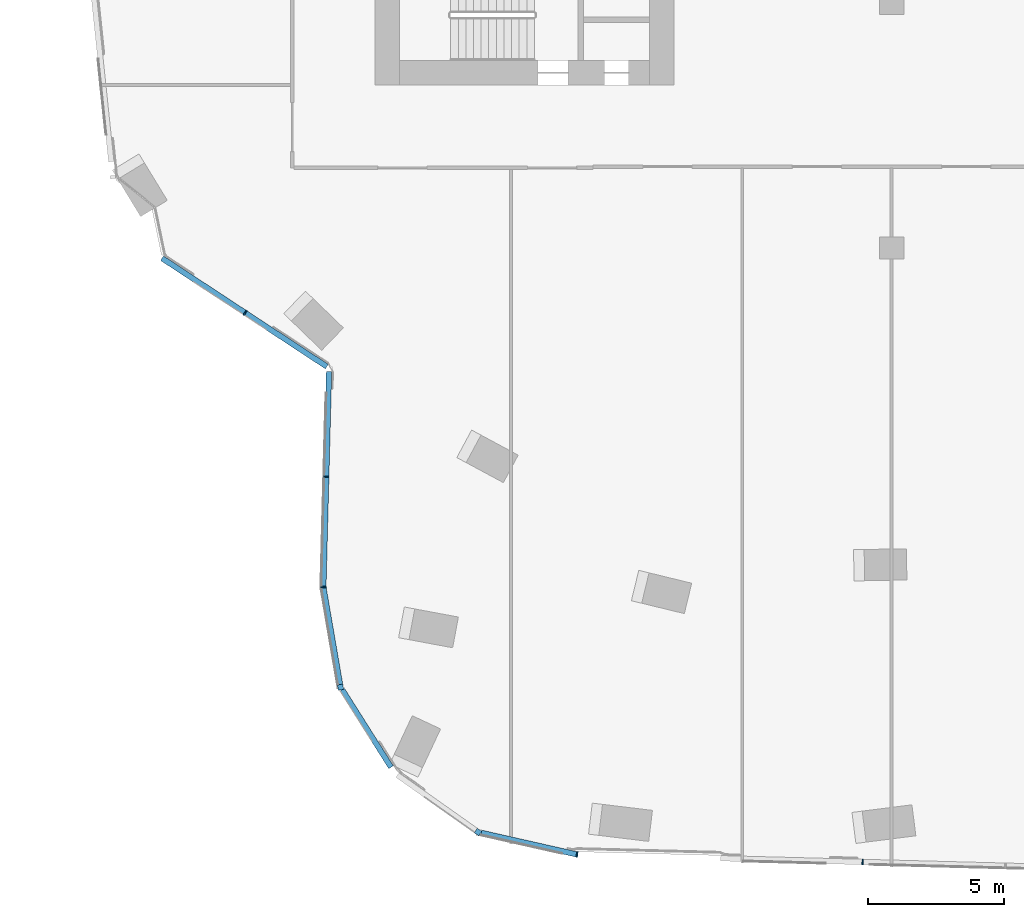
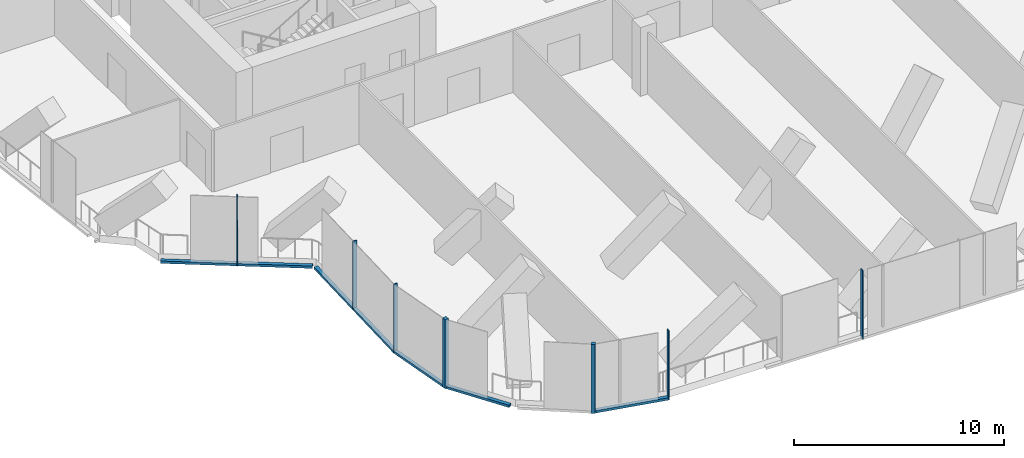
# One storey, part 2 of 26: 12 members, 7 elements without a shape of their own.
"""IFC4 building model written with IfcOpenShell, lengths in metres."""

import ifcopenshell
import ifcopenshell.guid

model = None  # the IFC model being written
_history = None  # IfcOwnerHistory: only IFC2X3 demands one
_inside = {}  # id of a spatial element -> (the spatial element, [elements in it])
_under = {}  # id of a project, library or spatial element -> (it, [spatial elements below it])
_declared = {}  # id of a project -> (the project, [libraries it declares])
_typed = {}  # id of a type object -> (the type object, [elements of that type])
_made_of = {}  # id of a material, layer set ... -> (it, [elements and type objects made of it])


def new_model(schema):
    """Start an empty IFC model of exactly this schema.

    Asked for "IFC4X3", IfcOpenShell would pick the latest addendum, in which some entities
    have other attributes; the version numbers below select the first issue.
    IFC2X3 requires an IfcOwnerHistory on every rooted entity: one is made here for all.
    """
    global model, _history
    if schema == "IFC4X3":
        model = ifcopenshell.file(schema_version=(4, 3, 0, 0))
    else:
        model = ifcopenshell.file(schema=schema)
    _inside.clear()
    _under.clear()
    _declared.clear()
    _typed.clear()
    _made_of.clear()
    _history = None
    if model.schema == "IFC2X3":
        org = make("IfcOrganization", Name="unknown")
        user = make(
            "IfcPersonAndOrganization",
            ThePerson=make("IfcPerson", FamilyName="unknown"),
            TheOrganization=org,
        )
        app = make(
            "IfcApplication",
            ApplicationDeveloper=org,
            Version="unknown",
            ApplicationFullName="unknown",
            ApplicationIdentifier="unknown",
        )
        _history = make(
            "IfcOwnerHistory",
            OwningUser=user,
            OwningApplication=app,
            ChangeAction="ADDED",
            CreationDate=0,
        )
    return model


def make(cls, **values):
    """One entity of the class cls with the attributes given. An attribute that is None is left unset."""
    return model.create_entity(
        cls, **{name: value for name, value in values.items() if value is not None}
    )


def rooted(cls, **values):
    """An entity with a GlobalId (a new one), such as an element, a storey or a relation."""
    return make(cls, GlobalId=ifcopenshell.guid.new(), OwnerHistory=_history, **values)


def si_unit(unit_type, name, prefix=None):
    """IfcSIUnit, for example si_unit("LENGTHUNIT", "METRE", prefix="MILLI")."""
    return make("IfcSIUnit", UnitType=unit_type, Prefix=prefix, Name=name)


def assignment(units):
    """IfcUnitAssignment: the units of a project."""
    return None if units is None else make("IfcUnitAssignment", Units=units)


def point(xyz):
    """IfcCartesianPoint."""
    return None if xyz is None else make("IfcCartesianPoint", Coordinates=xyz)


def direction(xyz):
    """IfcDirection."""
    return None if xyz is None else make("IfcDirection", DirectionRatios=xyz)


def frame(location, z_axis=None, x_axis=None):
    """IfcAxis2Placement3D, a coordinate frame: its origin and axes. An axis left out is left unset."""
    return make(
        "IfcAxis2Placement3D",
        Location=point(location),
        Axis=direction(z_axis),
        RefDirection=direction(x_axis),
    )


def frame_2d(location, x_axis=None):
    """IfcAxis2Placement2D, a coordinate frame in the plane: its origin and x axis."""
    return make(
        "IfcAxis2Placement2D", Location=point(location), RefDirection=direction(x_axis)
    )


def origin():
    """The frame at (0, 0, 0) with its axes left unset."""
    return frame((0.0, 0.0, 0.0))


def origin_2d():
    """The frame at (0, 0) in the plane with its x axis left unset."""
    return frame_2d((0.0, 0.0))


def place(relative_to, where):
    """IfcLocalPlacement: puts the frame where relative to a parent placement (None: the world)."""
    return make(
        "IfcLocalPlacement", PlacementRelTo=relative_to, RelativePlacement=where
    )


def context(
    kind, dimensions, precision=None, world=None, true_north=None, identifier=None
):
    """IfcGeometricRepresentationContext, for example the 3D "Model" context."""
    return make(
        "IfcGeometricRepresentationContext",
        ContextIdentifier=identifier,
        ContextType=kind,
        CoordinateSpaceDimension=dimensions,
        Precision=precision,
        WorldCoordinateSystem=world,
        TrueNorth=true_north,
    )


def subcontext(parent, identifier, kind, view, scale=None):
    """IfcGeometricRepresentationSubContext, for example "Body" below "Model"."""
    return make(
        "IfcGeometricRepresentationSubContext",
        ContextIdentifier=identifier,
        ContextType=kind,
        ParentContext=parent,
        TargetScale=scale,
        TargetView=view,
    )


def project(units=None, contexts=None):
    """IfcProject with its units and contexts."""
    return rooted(
        "IfcProject",
        Name="project",
        RepresentationContexts=contexts,
        UnitsInContext=assignment(units),
    )


def spatial(cls, under=None, at=None, **own):
    """A site, building, storey or space (cls), placed at a placement, below another one or the project."""
    s = rooted(cls, ObjectPlacement=at, **own)
    if under is not None:
        _under.setdefault(under.id(), (under, []))[1].append(s)
    return s


def profile(cls, at=None, kind="AREA", **sizes):
    """A parametric profile (cls). Its sizes go by their IFC names, for example OverallWidth=200.0."""
    return make(cls, ProfileType=kind, Position=at, **sizes)


def rectangle(**sizes):
    """IfcRectangleProfileDef."""
    return profile("IfcRectangleProfileDef", **sizes)


def extrude(swept, where, along, depth):
    """IfcExtrudedAreaSolid: the profile swept, set in the frame where, extruded along a direction by depth."""
    return make(
        "IfcExtrudedAreaSolid",
        SweptArea=swept,
        Position=where,
        ExtrudedDirection=direction(along),
        Depth=depth,
    )


def shape(context_of_items, identifier, shape_type, items):
    """IfcShapeRepresentation: the items that make up one representation, for example the "Body"."""
    return make(
        "IfcShapeRepresentation",
        ContextOfItems=context_of_items,
        RepresentationIdentifier=identifier,
        RepresentationType=shape_type,
        Items=items,
    )


def material(Name=None, Category=None):
    """IfcMaterial."""
    return make("IfcMaterial", Name=Name, Category=Category)


def material_profile(
    of_material, cross_section, Name=None, Category=None, Priority=None
):
    """IfcMaterialProfile: a cross section and its material."""
    return make(
        "IfcMaterialProfile",
        Name=Name,
        Material=of_material,
        Profile=cross_section,
        Priority=Priority,
        Category=Category,
    )


def profile_set(profiles, Name=None, composite=None):
    """IfcMaterialProfileSet."""
    return make(
        "IfcMaterialProfileSet",
        Name=Name,
        MaterialProfiles=profiles,
        CompositeProfile=composite,
    )


def made_of(thing, what):
    """Note that an element or type object is made of a material, layer set ...; save() writes the relation."""
    if what is not None:
        _made_of.setdefault(what.id(), (what, []))[1].append(thing)
    return thing


def type_object(cls, material=None, **own):
    """A type object (cls), such as IfcWallType, which elements share."""
    return made_of(rooted(cls, **own), material)


def element(
    cls,
    number,
    at=None,
    inside=None,
    cuts=None,
    type_object=None,
    material=None,
    context=None,
    identifier="Body",
    shape_type=None,
    held_by="IfcProductDefinitionShape",
    body=None,
    shapes=None,
    **own,
):
    """One element of the class cls, such as IfcWall. Its Tag is "e" and its number.

    at: its placement. inside: the storey or other place that contains it. cuts: it is an
    opening in that element (IfcRelVoidsElement). A single representation is given by context,
    identifier, shape_type and body (its items); several are given by shapes. held_by: the class
    of the entity that holds the representations. save() writes the other relations.
    """
    e = rooted(cls, Tag="e%d" % number, ObjectPlacement=at, **own)
    if body is not None:
        shapes = [shape(context, identifier, shape_type, body)]
    if shapes is not None:
        e.Representation = make(held_by, Representations=shapes)
    if inside is not None:
        _inside.setdefault(inside.id(), (inside, []))[1].append(e)
    if cuts is not None:
        rooted(
            "IfcRelVoidsElement", RelatingBuildingElement=cuts, RelatedOpeningElement=e
        )
    if type_object is not None:
        _typed.setdefault(type_object.id(), (type_object, []))[1].append(e)
    return made_of(e, material)


def aggregate(whole, parts):
    """IfcRelAggregates: a whole, such as a stair, and the parts it consists of."""
    return rooted("IfcRelAggregates", RelatingObject=whole, RelatedObjects=parts)


def save(model, path):
    """Write the relations noted so far, then the file.

    IfcRelAggregates (storeys below a building ...), IfcRelContainedInSpatialStructure (elements
    in a storey), IfcRelDefinesByType, IfcRelAssociatesMaterial and IfcRelDeclares: one each for
    every whole, place, type object, material and project.
    """
    for whole, parts in _under.values():
        aggregate(whole, parts)
    for where, things in _inside.values():
        rooted(
            "IfcRelContainedInSpatialStructure",
            RelatedElements=things,
            RelatingStructure=where,
        )
    for kind, things in _typed.values():
        rooted("IfcRelDefinesByType", RelatedObjects=things, RelatingType=kind)
    for what, things in _made_of.values():
        rooted("IfcRelAssociatesMaterial", RelatedObjects=things, RelatingMaterial=what)
    for by, libraries in _declared.values():
        rooted("IfcRelDeclares", RelatingContext=by, RelatedDefinitions=libraries)
    model.write(path)


model = new_model("IFC4")

# Units and contexts
model_context = context("Model", 3, precision=1e-05, world=origin(), true_north=direction((0.0, 1.0)))
body_context = subcontext(model_context, "Body", "Model", "MODEL_VIEW")
ifc_project = project(units=[si_unit("LENGTHUNIT", "METRE"), si_unit("AREAUNIT", "SQUARE_METRE"), si_unit("VOLUMEUNIT", "CUBIC_METRE"), si_unit("PLANEANGLEUNIT", "RADIAN"), si_unit("MASSUNIT", "GRAM", prefix="KILO")], contexts=[model_context])

# Site, building, storey
site_placement = place(None, origin())
site = spatial("IfcSite", under=ifc_project, at=site_placement, CompositionType="ELEMENT")
building_placement = place(site_placement, origin())
building = spatial("IfcBuilding", under=site, at=building_placement, Name="Orlundy Tower", CompositionType="ELEMENT")
storey_placement = place(building_placement, frame((0.0, 0.0, 228.0)))
storey = spatial("IfcBuildingStorey", under=building, at=storey_placement, Name="L60", CompositionType="ELEMENT", Elevation=228.0)

# Curtain wall, member
ifc_material_1 = material(Name="Aluminium bronze anodised", Category="aluminium")
curtain_wall_type = type_object("IfcCurtainWallType", Name="CW5 wall", PredefinedType="NOTDEFINED", material=ifc_material_1)
curtain_wall_1_placement = place(storey_placement, origin())
curtain_wall_1 = element("IfcCurtainWall", 1, at=curtain_wall_1_placement, inside=storey, type_object=curtain_wall_type, Name="CW5 run 042", PredefinedType="NOTDEFINED")
ifc_material_2 = material(Name="Aluminium bronze anodised", Category="aluminium")
ifc_material_profile_1 = material_profile(ifc_material_2, rectangle(XDim=0.199951171875, YDim=0.199951171875, at=origin_2d()), Name="CW5 corner post 200x200")
ifc_profile_set_1 = profile_set([ifc_material_profile_1], Name="Aluminium bronze anodised")
member_type_1 = type_object("IfcMemberType", Name="CW5 corner post 200x200", PredefinedType="MULLION", material=ifc_profile_set_1)
member_1_placement = place(storey_placement, frame((-15.21337890625, -39.486083984375, -0.419921875), z_axis=(0.0, 0.0, 1.0), x_axis=(-0.577096231381, -0.816676153518, 0.0)))
member_1 = element("IfcMember", 2, at=member_1_placement, type_object=member_type_1, Name="CW5 mullion 58", PredefinedType="MULLION", context=body_context, shape_type="SweptSolid", body=[
    extrude(rectangle(XDim=0.199951171875, YDim=0.199951171875, at=origin_2d()), origin(), (0.0, 0.0, 1.0), 4.02001953125),
])
aggregate(curtain_wall_1, [member_1])

curtain_wall_2_placement = place(storey_placement, origin())
curtain_wall_2 = element("IfcCurtainWall", 3, at=curtain_wall_2_placement, inside=storey, type_object=curtain_wall_type, Name="CW5 run 044", PredefinedType="NOTDEFINED")
member_2_placement = place(storey_placement, frame((-20.272216796875, -34.155517578125, -0.419921875), z_axis=(0.0, 0.0, 1.0), x_axis=(-0.985542556373, -0.169428066085, 0.0)))
member_2 = element("IfcMember", 4, at=member_2_placement, type_object=member_type_1, Name="CW5 mullion 60", PredefinedType="MULLION", context=body_context, shape_type="SweptSolid", body=[
    extrude(rectangle(XDim=0.199951171875, YDim=0.199951171875, at=origin_2d()), origin(), (0.0, 0.0, 1.0), 4.02001953125),
])

curtain_wall_3_placement = place(storey_placement, origin())
curtain_wall_3 = element("IfcCurtainWall", 5, at=curtain_wall_3_placement, inside=storey, type_object=curtain_wall_type, Name="CW5 run 00", PredefinedType="NOTDEFINED")
ifc_material_3 = material(Name="Aluminium bronze anodised", Category="aluminium")
ifc_material_profile_2 = material_profile(ifc_material_3, rectangle(XDim=0.199951171875, YDim=0.050048828125, at=origin_2d()), Name="CW5 mullion 50x200")
ifc_profile_set_2 = profile_set([ifc_material_profile_2], Name="Aluminium bronze anodised")
member_type_2 = type_object("IfcMemberType", Name="CW5 mullion 50x200", PredefinedType="MULLION", material=ifc_profile_set_2)
member_3_placement = place(storey_placement, frame((-23.784423828125, -20.383056640625, -0.419921875), z_axis=(0.0, 0.0, 1.0), x_axis=(-0.549496670175, -0.835495906314, 0.0)))
member_3 = element("IfcMember", 6, at=member_3_placement, type_object=member_type_2, Name="CW5 mullion 2", PredefinedType="MULLION", context=body_context, shape_type="SweptSolid", body=[
    extrude(rectangle(XDim=0.199951171875, YDim=0.050048828125, at=origin_2d()), origin(), (0.0, 0.0, 1.0), 4.02001953125),
])

curtain_wall_4_placement = place(storey_placement, origin())
curtain_wall_4 = element("IfcCurtainWall", 7, at=curtain_wall_4_placement, inside=storey, type_object=curtain_wall_type, Name="CW5 run 040", PredefinedType="NOTDEFINED")
member_4_placement = place(storey_placement, frame((-1.063232421875, -40.5859375, -0.419921875), z_axis=(0.0, 0.0, 1.0), x_axis=(-0.026190222342, -0.999656977295, 0.0)))
member_4 = element("IfcMember", 8, at=member_4_placement, type_object=member_type_2, Name="CW5 mullion 55", PredefinedType="MULLION", context=body_context, shape_type="SweptSolid", body=[
    extrude(rectangle(XDim=0.199951171875, YDim=0.050048828125, at=origin_2d()), origin(), (0.0, 0.0, 1.0), 4.02001953125),
])
aggregate(curtain_wall_4, [member_4])

curtain_wall_5_placement = place(storey_placement, origin())
curtain_wall_5 = element("IfcCurtainWall", 9, at=curtain_wall_5_placement, inside=storey, type_object=curtain_wall_type, Name="CW5 run 041", PredefinedType="NOTDEFINED")
member_5_placement = place(storey_placement, frame((-11.569580078125, -40.310791015625, -0.419921875), z_axis=(0.0, 0.0, 1.0), x_axis=(-0.124042216169, -0.992276941488, 0.0)))
member_5 = element("IfcMember", 10, at=member_5_placement, type_object=member_type_2, Name="CW5 mullion 57", PredefinedType="MULLION", context=body_context, shape_type="SweptSolid", body=[
    extrude(rectangle(XDim=0.199951171875, YDim=0.050048828125, at=origin_2d()), origin(), (0.0, 0.0, 1.0), 4.02001953125),
])

# Curtain wall, members
curtain_wall_6_placement = place(storey_placement, origin())
curtain_wall_6 = element("IfcCurtainWall", 11, at=curtain_wall_6_placement, inside=storey, type_object=curtain_wall_type, Name="CW5 run 045", PredefinedType="NOTDEFINED")
member_6_placement = place(storey_placement, frame((-20.9052734375, -30.47314453125, -0.419921875), z_axis=(0.0, 0.0, 1.0), x_axis=(-0.997410241381, -0.071922252382, 0.0)))
member_6 = element("IfcMember", 12, at=member_6_placement, type_object=member_type_2, Name="CW5 mullion 61", PredefinedType="MULLION", context=body_context, shape_type="SweptSolid", body=[
    extrude(rectangle(XDim=0.199951171875, YDim=0.050048828125, at=origin_2d()), origin(), (0.0, 0.0, 1.0), 4.02001953125),
])
member_7_placement = place(storey_placement, frame((-20.798583984375, -26.411865234375, -0.419921875), z_axis=(0.0, 0.0, 1.0), x_axis=(-0.999654687311, 0.026277483459, 0.0)))
member_7 = element("IfcMember", 13, at=member_7_placement, type_object=member_type_2, Name="CW5 mullion 62", PredefinedType="MULLION", context=body_context, shape_type="SweptSolid", body=[
    extrude(rectangle(XDim=0.199951171875, YDim=0.050048828125, at=origin_2d()), origin(), (0.0, 0.0, 1.0), 4.02001953125),
])

# Member
ifc_material_4 = material(Name="Aluminium bronze anodised", Category="aluminium")
ifc_material_profile_3 = material_profile(ifc_material_4, rectangle(XDim=0.199951171875, YDim=0.139892578125, at=origin_2d()), Name="CW5 transom 200x140")
ifc_profile_set_3 = profile_set([ifc_material_profile_3], Name="Aluminium bronze anodised")
member_type_3 = type_object("IfcMemberType", Name="CW5 transom 200x140", PredefinedType="USERDEFINED", material=ifc_profile_set_3)
member_8_placement = place(storey_placement, frame((-20.77685546875, -22.361083984375, -0.35009765625), z_axis=(-0.835497582974, 0.549494120847, 0.0), x_axis=(-0.549494120847, -0.835497582974, 0.0)))
member_8 = element("IfcMember", 14, at=member_8_placement, type_object=member_type_3, Name="CW5 transom", ObjectType="TRANSOM", PredefinedType="USERDEFINED", context=body_context, shape_type="SweptSolid", body=[
    extrude(rectangle(XDim=0.199951171875, YDim=0.139892578125, at=origin_2d()), origin(), (0.0, 0.0, 1.0), 7.2548828125),
])

aggregate(curtain_wall_3, [member_3, member_8])

member_9_placement = place(storey_placement, frame((-11.593994140625, -40.30517578125, -0.35009765625), z_axis=(-0.975339452619, 0.220710108885, 0.0), x_axis=(-0.220710108885, -0.975339452619, 0.0)))
member_9 = element("IfcMember", 15, at=member_9_placement, type_object=member_type_3, Name="CW5 transom", ObjectType="TRANSOM", PredefinedType="USERDEFINED", context=body_context, shape_type="SweptSolid", body=[
    extrude(rectangle(XDim=0.199951171875, YDim=0.139892578125, at=origin_2d()), origin(), (0.0, 0.0, 1.0), 3.602783203125),
])

aggregate(curtain_wall_5, [member_5, member_9])

# Curtain wall, member
curtain_wall_7_placement = place(storey_placement, origin())
curtain_wall_7 = element("IfcCurtainWall", 16, at=curtain_wall_7_placement, inside=storey, type_object=curtain_wall_type, Name="CW5 run 043", PredefinedType="NOTDEFINED")
member_10_placement = place(storey_placement, frame((-18.4140625, -37.1005859375, -0.35009765625), z_axis=(-0.533584559315, 0.845746722169, 0.0), x_axis=(-0.845746722169, -0.533584559315, 0.0)))
member_10 = element("IfcMember", 17, at=member_10_placement, type_object=member_type_3, Name="CW5 transom", ObjectType="TRANSOM", PredefinedType="USERDEFINED", context=body_context, shape_type="SweptSolid", body=[
    extrude(rectangle(XDim=0.199951171875, YDim=0.139892578125, at=origin_2d()), origin(), (0.0, 0.0, 1.0), 3.3740234375),
])
aggregate(curtain_wall_7, [member_10])

# Member
member_11_placement = place(storey_placement, frame((-20.2890625, -34.056884765625, -0.35009765625), z_axis=(-0.169429180634, 0.985542364767, 0.0), x_axis=(-0.985542364767, -0.169429180634, 0.0)))
member_11 = element("IfcMember", 18, at=member_11_placement, type_object=member_type_3, Name="CW5 transom", ObjectType="TRANSOM", PredefinedType="USERDEFINED", context=body_context, shape_type="SweptSolid", body=[
    extrude(rectangle(XDim=0.199951171875, YDim=0.139892578125, at=origin_2d()), origin(), (0.0, 0.0, 1.0), 3.611083984375),
])

aggregate(curtain_wall_2, [member_2, member_11])

member_12_placement = place(storey_placement, frame((-20.904541015625, -30.447998046875, -0.35009765625), z_axis=(0.026273433208, 0.99965479377, 0.0), x_axis=(-0.99965479377, 0.026273433208, 0.0)))
member_12 = element("IfcMember", 19, at=member_12_placement, type_object=member_type_3, Name="CW5 transom", ObjectType="TRANSOM", PredefinedType="USERDEFINED", context=body_context, shape_type="SweptSolid", body=[
    extrude(rectangle(XDim=0.199951171875, YDim=0.139892578125, at=origin_2d()), origin(), (0.0, 0.0, 1.0), 7.9169921875),
])

aggregate(curtain_wall_6, [member_6, member_7, member_12])

save(model, "model.ifc")
